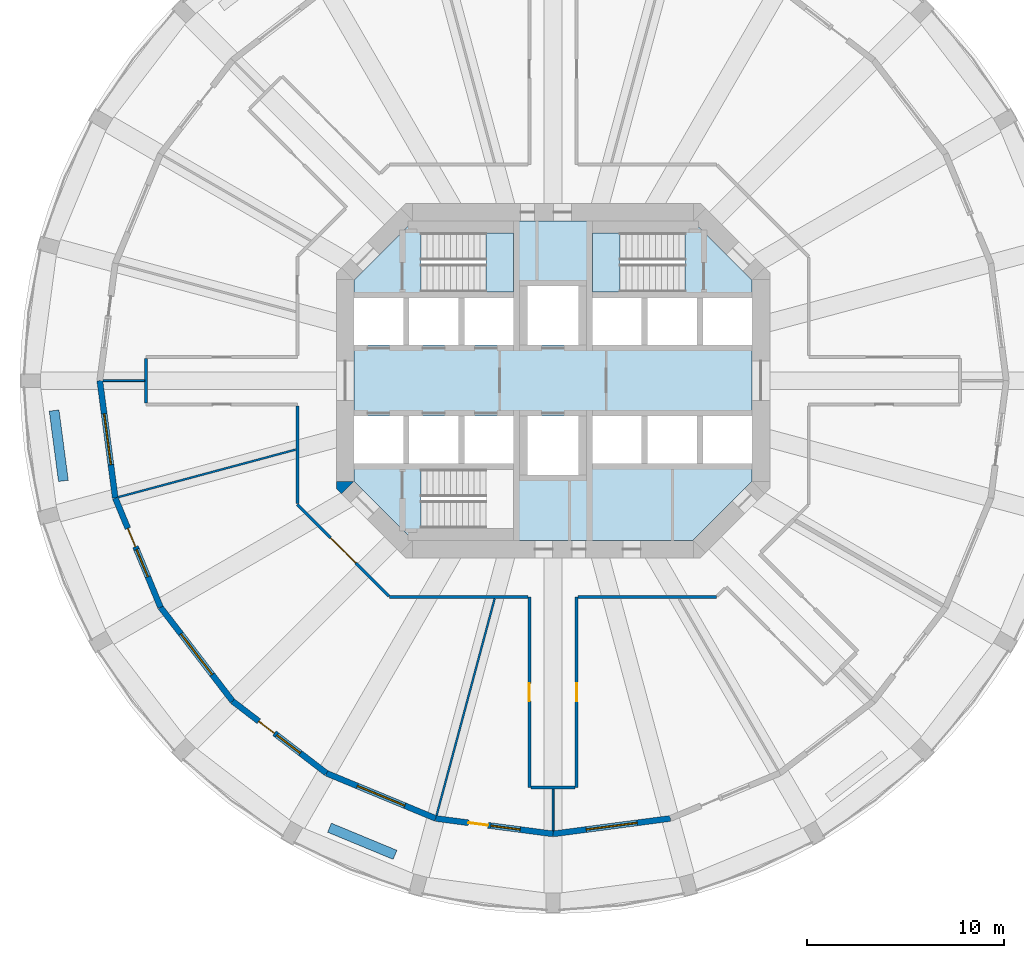
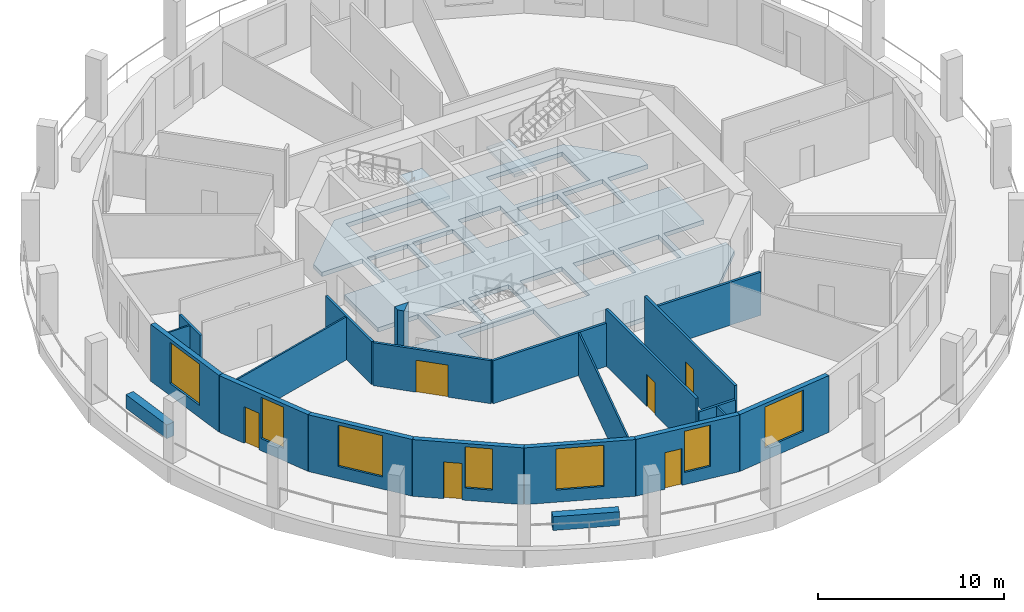
# One storey, part 2 of 9: 22 walls, 7 windows, 6 doors, 3 slabs, 13 openings, 2 elements without a shape of their own.
"""IFC4 building model written with IfcOpenShell, lengths in metres."""

from ifc_helpers import new_model, si_unit, direction, frame, frame_2d, origin, place, context, subcontext, project, spatial, polyline, rectangle, outline, extrude, material, layer, layer_set, type_object, element, fill, aggregate, save


model = new_model("IFC4")

# Units and contexts
model_context = context("Model", 3, precision=1e-05, world=origin(), true_north=direction((0.0, 1.0)))
body_context = subcontext(model_context, "Body", "Model", "MODEL_VIEW")
ifc_project = project(units=[si_unit("LENGTHUNIT", "METRE"), si_unit("AREAUNIT", "SQUARE_METRE"), si_unit("VOLUMEUNIT", "CUBIC_METRE"), si_unit("PLANEANGLEUNIT", "RADIAN"), si_unit("MASSUNIT", "GRAM", prefix="KILO")], contexts=[model_context])

# Site, building, storey
site_placement = place(None, origin())
site = spatial("IfcSite", under=ifc_project, at=site_placement, CompositionType="ELEMENT")
building_placement = place(site_placement, origin())
building = spatial("IfcBuilding", under=site, at=building_placement, Name="Torre Triforio", CompositionType="ELEMENT")
storey_placement = place(building_placement, frame((0.0, 0.0, 27.0)))
storey = spatial("IfcBuildingStorey", under=building, at=storey_placement, Name="L04", CompositionType="ELEMENT", Elevation=27.0)

# Slab
ifc_material_1 = material(Name="Concrete C60", Category="concrete")
ifc_layer_1 = layer(ifc_material_1, 0.280029296875)
ifc_layer_set_1 = layer_set([ifc_layer_1], Name="Concrete C60")
slab_type_1 = type_object("IfcSlabType", Name="Core floor slab 280 mm C60 REI 120", PredefinedType="FLOOR", material=ifc_layer_set_1)
slab_1_placement = place(storey_placement, frame((0.0, 0.0, -0.280029296875)))
element("IfcSlab", 1, at=slab_1_placement, inside=storey, type_object=slab_type_1, Name="Core floor slab", PredefinedType="FLOOR", context=body_context, shape_type="SweptSolid", body=[
    extrude(outline(polyline([(10.10009765625, -5.10009765625), (7.10009765625, -8.10009765625), (-7.10009765625, -8.10009765625), (-10.10009765625, -5.10009765625), (-10.10009765625, -4.199951171875), (-7.60009765625, -4.199951171875), (-7.60009765625, -1.800048828125), (-10.10009765625, -1.800048828125), (-10.10009765625, 1.800048828125), (-7.60009765625, 1.800048828125), (-7.60009765625, 4.199951171875), (-10.10009765625, 4.199951171875), (-10.10009765625, 5.10009765625), (-7.10009765625, 8.10009765625), (7.10009765625, 8.10009765625), (10.10009765625, 5.10009765625), (10.10009765625, 4.199951171875), (7.60009765625, 4.199951171875), (7.60009765625, 1.800048828125), (10.10009765625, 1.800048828125), (10.10009765625, -1.800048828125), (7.60009765625, -1.800048828125), (7.60009765625, -4.199951171875), (10.10009765625, -4.199951171875), (10.10009765625, -5.10009765625)]), holes=[polyline([(-2.0, -4.5), (-6.696044921875, -4.5), (-6.696044921875, -7.5), (-2.0, -7.5), (-2.0, -4.5)]), polyline([(-4.800048828125, -1.800048828125), (-7.300048828125, -1.800048828125), (-7.300048828125, -4.199951171875), (-4.800048828125, -4.199951171875), (-4.800048828125, -1.800048828125)]), polyline([(-2.0, -1.800048828125), (-4.5, -1.800048828125), (-4.5, -4.199951171875), (-2.0, -4.199951171875), (-2.0, -1.800048828125)]), polyline([(-4.800048828125, 4.199951171875), (-7.300048828125, 4.199951171875), (-7.300048828125, 1.800048828125), (-4.800048828125, 1.800048828125), (-4.800048828125, 4.199951171875)]), polyline([(-2.0, 4.199951171875), (-4.5, 4.199951171875), (-4.5, 1.800048828125), (-2.0, 1.800048828125), (-2.0, 4.199951171875)]), polyline([(1.300048828125, 4.800048828125), (-1.300048828125, 4.800048828125), (-1.300048828125, 1.800048828125), (1.300048828125, 1.800048828125), (1.300048828125, 4.800048828125)]), polyline([(-2.0, 7.5), (-6.696044921875, 7.5), (-6.696044921875, 4.5), (-2.0, 4.5), (-2.0, 7.5)]), polyline([(1.300048828125, -1.800048828125), (-1.300048828125, -1.800048828125), (-1.300048828125, -4.800048828125), (1.300048828125, -4.800048828125), (1.300048828125, -1.800048828125)]), polyline([(4.5, -1.800048828125), (2.0, -1.800048828125), (2.0, -4.199951171875), (4.5, -4.199951171875), (4.5, -1.800048828125)]), polyline([(7.300048828125, -1.800048828125), (4.800048828125, -1.800048828125), (4.800048828125, -4.199951171875), (7.300048828125, -4.199951171875), (7.300048828125, -1.800048828125)]), polyline([(4.5, 4.199951171875), (2.0, 4.199951171875), (2.0, 1.800048828125), (4.5, 1.800048828125), (4.5, 4.199951171875)]), polyline([(7.300048828125, 4.199951171875), (4.800048828125, 4.199951171875), (4.800048828125, 1.800048828125), (7.300048828125, 1.800048828125), (7.300048828125, 4.199951171875)]), polyline([(6.696044921875, 4.5), (6.696044921875, 7.5), (2.0, 7.5), (2.0, 4.5), (6.696044921875, 4.5)])]), origin(), (0.0, 0.0, 1.0), 0.280029296875),
])

# Stair, slab
ifc_material_2 = material(Name="Concrete C40", Category="concrete")
stair_type = type_object("IfcStairType", Name="STAIR HALF-TURN", PredefinedType="HALF_TURN_STAIR", material=ifc_material_2)
stair_1_placement = place(storey_placement, origin())
stair_1 = element("IfcStair", 2, at=stair_1_placement, inside=storey, type_object=stair_type, Name="Exit stair 1", PredefinedType="HALF_TURN_STAIR")
ifc_layer_2 = layer(ifc_material_2, 0.199951171875)
ifc_layer_set_2 = layer_set([ifc_layer_2], Name="Concrete C40")
slab_type_2 = type_object("IfcSlabType", Name="STAIR LANDING 200", PredefinedType="LANDING", material=ifc_layer_set_2)
slab_2_placement = place(storey_placement, frame((0.0, 0.0, 1.800048828125)))
slab_2 = element("IfcSlab", 3, at=slab_2_placement, type_object=slab_type_2, Name="ST1 landing 1", PredefinedType="LANDING", context=body_context, shape_type="SweptSolid", body=[
    extrude(outline(polyline([(-2.0, 4.5), (-2.0, 7.5), (-3.39990234375, 7.5), (-3.39990234375, 4.5), (-2.0, 4.5)])), origin(), (0.0, 0.0, 1.0), 0.199951171875),
])
aggregate(stair_1, [slab_2])

stair_2_placement = place(storey_placement, origin())
stair_2 = element("IfcStair", 4, at=stair_2_placement, inside=storey, type_object=stair_type, Name="Exit stair 2", PredefinedType="HALF_TURN_STAIR")
slab_3_placement = place(storey_placement, frame((0.0, 0.0, 1.800048828125)))
slab_3 = element("IfcSlab", 5, at=slab_3_placement, type_object=slab_type_2, Name="ST2 landing 1", PredefinedType="LANDING", context=body_context, shape_type="SweptSolid", body=[
    extrude(outline(polyline([(3.39990234375, 4.5), (3.39990234375, 7.5), (2.0, 7.5), (2.0, 4.5), (3.39990234375, 4.5)])), origin(), (0.0, 0.0, 1.0), 0.199951171875),
])
aggregate(stair_2, [slab_3])

# Walls
ifc_layer_3 = layer(ifc_material_1, 0.89990234375)
ifc_layer_set_3 = layer_set([ifc_layer_3], Name="Concrete C60")
wall_type_1 = type_object("IfcWallType", Name="Core wall 900 mm C60 EI 120", PredefinedType="SHEAR", material=ifc_layer_set_3)
wall_1_placement = place(storey_placement, frame((0.0, 0.0, -0.280029296875)))
element("IfcWall", 6, at=wall_1_placement, inside=storey, type_object=wall_type_1, Name="Core wall", PredefinedType="SHEAR", context=body_context, shape_type="SweptSolid", body=[
    extrude(outline(polyline([(-11.0, -5.472900390625), (-11.0, -5.1298828125), (-10.1298828125, -5.1298828125), (-10.736328125, -5.736328125), (-11.0, -5.472900390625)])), origin(), (0.0, 0.0, 1.0), 4.0),
])
ifc_material_3 = material(Name="Plasterboard on metal studs")
ifc_layer_4 = layer(ifc_material_3, 0.14990234375)
ifc_layer_set_4 = layer_set([ifc_layer_4], Name="Plasterboard on metal studs")
wall_type_2 = type_object("IfcWallType", Name="Corridor and tenancy wall 150 mm EI 60", PredefinedType="PARTITIONING", material=ifc_layer_set_4)
wall_2_placement = place(storey_placement, frame((8.291015625, -10.97509765625, 0.0), z_axis=(0.0, 0.0, 1.0), x_axis=(-1.0, 0.0, 0.0)))
element("IfcWall", 7, at=wall_2_placement, inside=storey, type_object=wall_type_2, Name="Partition 5", PredefinedType="PARTITIONING", context=body_context, shape_type="SweptSolid", body=[
    extrude(rectangle(XDim=7.01611328125, YDim=0.14990234375, at=frame_2d((3.508056640625, 0.0))), origin(), (0.0, 0.0, 1.0), 2.820068359375),
])

# Wall, opening, door
wall_3_placement = place(storey_placement, frame((1.199951171875, -10.97509765625, 0.0), z_axis=(0.0, 0.0, 1.0), x_axis=(0.0, -1.0, 0.0)))
wall_3 = element("IfcWall", 8, at=wall_3_placement, inside=storey, type_object=wall_type_2, Name="Partition 6", PredefinedType="PARTITIONING", context=body_context, shape_type="SweptSolid", body=[
    extrude(rectangle(XDim=9.673583984375, YDim=0.14990234375, at=frame_2d((4.8369140625, 0.0))), origin(), (0.0, 0.0, 1.0), 3.719970703125),
])
opening_1_placement = place(wall_3_placement, frame((4.386962890625, 0.0, 0.0)))
opening_1 = element("IfcOpeningElement", 9, at=opening_1_placement, cuts=wall_3, Name="Opening N1-11", PredefinedType="OPENING", context=body_context, shape_type="SweptSolid", body=[
    extrude(rectangle(XDim=0.89990234375, YDim=2.10009765625, at=frame_2d((0.449951171875, 1.050048828125))), frame((0.0, 0.0849609375, 0.0), z_axis=(0.0, -1.0, 0.0), x_axis=(1.0, 0.0, 0.0)), (0.0, 0.0, 1.0), 0.169921875),
])
ifc_material_4 = material(Name="Timber", Category="wood")
door_type_1 = type_object("IfcDoorType", Name="Door 900 x 2100 single leaf EI 30", OperationType="NOTDEFINED", PredefinedType="DOOR", material=ifc_material_4)
door_1_placement = place(opening_1_placement, origin())
door_1 = element("IfcDoor", 10, at=door_1_placement, inside=storey, type_object=door_type_1, Name="Door N1-11", OperationType="SINGLE_SWING_RIGHT", OverallHeight=2.10009765625, OverallWidth=0.89990234375, PredefinedType="DOOR", context=body_context, shape_type="SweptSolid", body=[
    extrude(rectangle(XDim=0.89990234375, YDim=2.10009765625, at=frame_2d((0.449951171875, 1.050048828125))), frame((0.0, 0.02490234375, 0.0), z_axis=(0.0, -1.0, 0.0), x_axis=(1.0, 0.0, 0.0)), (0.0, 0.0, 1.0), 0.050048828125),
])
fill(opening_1, door_1)

# Wall
wall_4_placement = place(storey_placement, frame((1.125, -20.648681640625, 0.0), z_axis=(0.0, 0.0, 1.0), x_axis=(-1.0, 0.0, 0.0)))
element("IfcWall", 11, at=wall_4_placement, inside=storey, type_object=wall_type_2, Name="Partition 7", PredefinedType="PARTITIONING", context=body_context, shape_type="SweptSolid", body=[
    extrude(rectangle(XDim=2.25, YDim=0.14990234375, at=frame_2d((1.125, 0.0))), origin(), (0.0, 0.0, 1.0), 2.820068359375),
])

# Wall, opening, door
wall_5_placement = place(storey_placement, frame((-1.199951171875, -20.648681640625, 0.0), z_axis=(0.0, 0.0, 1.0), x_axis=(0.0, 1.0, 0.0)))
wall_5 = element("IfcWall", 12, at=wall_5_placement, inside=storey, type_object=wall_type_2, Name="Partition 8", PredefinedType="PARTITIONING", context=body_context, shape_type="SweptSolid", body=[
    extrude(rectangle(XDim=9.673583984375, YDim=0.14990234375, at=frame_2d((4.8369140625, 0.0))), origin(), (0.0, 0.0, 1.0), 3.719970703125),
])
opening_2_placement = place(wall_5_placement, frame((4.386962890625, 0.0, 0.0)))
opening_2 = element("IfcOpeningElement", 13, at=opening_2_placement, cuts=wall_5, Name="Opening N1-10", PredefinedType="OPENING", context=body_context, shape_type="SweptSolid", body=[
    extrude(rectangle(XDim=0.89990234375, YDim=2.10009765625, at=frame_2d((0.449951171875, 1.050048828125))), frame((0.0, 0.0849609375, 0.0), z_axis=(0.0, -1.0, 0.0), x_axis=(1.0, 0.0, 0.0)), (0.0, 0.0, 1.0), 0.169921875),
])
door_2_placement = place(opening_2_placement, origin())
door_2 = element("IfcDoor", 14, at=door_2_placement, inside=storey, type_object=door_type_1, Name="Door N1-10", OperationType="SINGLE_SWING_RIGHT", OverallHeight=2.10009765625, OverallWidth=0.89990234375, PredefinedType="DOOR", context=body_context, shape_type="SweptSolid", body=[
    extrude(rectangle(XDim=0.89990234375, YDim=2.10009765625, at=frame_2d((0.449951171875, 1.050048828125))), frame((0.0, 0.02490234375, 0.0), z_axis=(0.0, -1.0, 0.0), x_axis=(1.0, 0.0, 0.0)), (0.0, 0.0, 1.0), 0.050048828125),
])
fill(opening_2, door_2)

# Wall
wall_6_placement = place(storey_placement, frame((-1.27490234375, -10.97509765625, 0.0), z_axis=(0.0, 0.0, 1.0), x_axis=(-1.0, 0.0, 0.0)))
element("IfcWall", 15, at=wall_6_placement, inside=storey, type_object=wall_type_2, Name="Partition 9", PredefinedType="PARTITIONING", context=body_context, shape_type="SweptSolid", body=[
    extrude(rectangle(XDim=7.01611328125, YDim=0.14990234375, at=frame_2d((3.508056640625, 0.0))), origin(), (0.0, 0.0, 1.0), 2.820068359375),
])

# Wall, opening, door
wall_7_placement = place(storey_placement, frame((-8.327880859375, -10.93798828125, 0.0), z_axis=(0.0, 0.0, 1.0), x_axis=(-0.707125355289, 0.707088206597, 0.0)))
wall_7 = element("IfcWall", 16, at=wall_7_placement, inside=storey, type_object=wall_type_2, Name="Partition 10", PredefinedType="PARTITIONING", context=body_context, shape_type="SweptSolid", body=[
    extrude(rectangle(XDim=6.572021484375, YDim=0.14990234375, at=frame_2d((3.2861328125, 0.0))), origin(), (0.0, 0.0, 1.0), 2.820068359375),
])
opening_3_placement = place(wall_7_placement, frame((2.385986328125, 0.0, 0.0)))
opening_3 = element("IfcOpeningElement", 17, at=opening_3_placement, cuts=wall_7, Name="Opening N1-09", PredefinedType="OPENING", context=body_context, shape_type="SweptSolid", body=[
    extrude(rectangle(XDim=1.800048828125, YDim=2.10009765625, at=frame_2d((0.89990234375, 1.050048828125))), frame((0.0, 0.0849609375, 0.0), z_axis=(0.0, -1.0, 0.0), x_axis=(1.0, 0.0, 0.0)), (0.0, 0.0, 1.0), 0.169921875),
])
door_type_2 = type_object("IfcDoorType", Name="Door 1800 x 2100 double leaf EI 30", OperationType="DOUBLE_DOOR_SINGLE_SWING", PredefinedType="DOOR", material=ifc_material_4)
door_3_placement = place(opening_3_placement, origin())
door_3 = element("IfcDoor", 18, at=door_3_placement, inside=storey, type_object=door_type_2, Name="Door N1-09", OperationType="DOUBLE_DOOR_SINGLE_SWING", OverallHeight=2.10009765625, OverallWidth=1.800048828125, PredefinedType="DOOR", context=body_context, shape_type="SweptSolid", body=[
    extrude(rectangle(XDim=1.800048828125, YDim=2.10009765625, at=frame_2d((0.89990234375, 1.050048828125))), frame((0.0, 0.02490234375, 0.0), z_axis=(0.0, -1.0, 0.0), x_axis=(1.0, 0.0, 0.0)), (0.0, 0.0, 1.0), 0.050048828125),
])
fill(opening_3, door_3)

# Walls
wall_8_placement = place(storey_placement, frame((-12.97509765625, -6.23828125, 0.0), z_axis=(0.0, 0.0, 1.0), x_axis=(0.0, 1.0, 0.0)))
element("IfcWall", 19, at=wall_8_placement, inside=storey, type_object=wall_type_2, Name="Partition 11", PredefinedType="PARTITIONING", context=body_context, shape_type="SweptSolid", body=[
    extrude(rectangle(XDim=4.96337890625, YDim=0.14990234375, at=frame_2d((2.481689453125, 0.0))), origin(), (0.0, 0.0, 1.0), 2.820068359375),
])
wall_9_placement = place(storey_placement, frame((-20.648681640625, -1.125, 0.0), z_axis=(0.0, 0.0, 1.0), x_axis=(0.0, 1.0, 0.0)))
element("IfcWall", 20, at=wall_9_placement, inside=storey, type_object=wall_type_2, Name="Partition 13", PredefinedType="PARTITIONING", context=body_context, shape_type="SweptSolid", body=[
    extrude(rectangle(XDim=2.25, YDim=0.14990234375, at=frame_2d((1.125, 0.0))), origin(), (0.0, 0.0, 1.0), 2.820068359375),
])
ifc_layer_5 = layer(ifc_material_3, 0.10009765625)
ifc_layer_set_5 = layer_set([ifc_layer_5], Name="Plasterboard on metal studs")
wall_type_3 = type_object("IfcWallType", Name="Partition 100 mm board on metal studs", PredefinedType="PARTITIONING", material=ifc_layer_set_5)
wall_10_placement = place(storey_placement, frame((-20.7236328125, 0.0, 0.0), z_axis=(0.0, 0.0, 1.0), x_axis=(-1.0, 0.0, 0.0)))
element("IfcWall", 21, at=wall_10_placement, inside=storey, type_object=wall_type_3, Name="Partition 42", PredefinedType="PARTITIONING", context=body_context, shape_type="SweptSolid", body=[
    extrude(rectangle(XDim=2.113037109375, YDim=0.10009765625, at=frame_2d((1.056640625, 0.0))), origin(), (0.0, 0.0, 1.0), 2.820068359375),
])
wall_11_placement = place(storey_placement, frame((-13.064208984375, -3.50048828125, 0.0), z_axis=(0.0, 0.0, 1.0), x_axis=(-0.965922655056, -0.258830880017, 0.0)))
element("IfcWall", 22, at=wall_11_placement, inside=storey, type_object=wall_type_3, Name="Partition 43", PredefinedType="PARTITIONING", context=body_context, shape_type="SweptSolid", body=[
    extrude(rectangle(XDim=9.311767578125, YDim=0.10009765625, at=frame_2d((4.65576171875, 0.0))), origin(), (0.0, 0.0, 1.0), 2.820068359375),
])
wall_12_placement = place(storey_placement, frame((-2.964599609375, -11.064208984375, 0.0), z_axis=(0.0, 0.0, 1.0), x_axis=(-0.258827930947, -0.965923445291, 0.0)))
element("IfcWall", 23, at=wall_12_placement, inside=storey, type_object=wall_type_3, Name="Partition 44", PredefinedType="PARTITIONING", context=body_context, shape_type="SweptSolid", body=[
    extrude(rectangle(XDim=11.38232421875, YDim=0.10009765625, at=frame_2d((5.691162109375, 0.0))), origin(), (0.0, 0.0, 1.0), 2.820068359375),
])
wall_13_placement = place(storey_placement, frame((0.0, -20.7236328125, 0.0), z_axis=(0.0, 0.0, 1.0), x_axis=(0.0, -1.0, 0.0)))
element("IfcWall", 24, at=wall_13_placement, inside=storey, type_object=wall_type_3, Name="Partition 45", PredefinedType="PARTITIONING", context=body_context, shape_type="SweptSolid", body=[
    extrude(rectangle(XDim=2.113037109375, YDim=0.10009765625, at=frame_2d((1.056640625, 0.0))), origin(), (0.0, 0.0, 1.0), 2.820068359375),
])
ifc_material_5 = material(Name="Limestone cladding", Category="masonry")
ifc_layer_6 = layer(ifc_material_5, 0.10009765625)
ifc_layer_7 = layer(ifc_material_2, 0.39990234375)
ifc_layer_set_6 = layer_set([ifc_layer_6, ifc_layer_7], Name="Limestone cladding / Concrete C40")
wall_type_4 = type_object("IfcWallType", Name="Planter wall 500", PredefinedType="PARAPET", material=ifc_layer_set_6)
for number, where, z_axis, x_axis, name in (
    (25, (-25.318603515625, -1.517578125, 0.0), (0.0, 0.0, 1.0), (0.130542222659, -0.991442750795, 0.0), "Planter L04 bay 13"),
    (26, (-11.344970703125, -22.685302734375, 0.0), (0.0, 0.0, 1.0), (0.923885420167, -0.382669217998, 0.0), "Planter L04 bay 17"),
):
    element("IfcWall", number, at=place(storey_placement, frame(where, z_axis=z_axis, x_axis=x_axis)), inside=storey, type_object=wall_type_4, Name=name, PredefinedType="PARAPET", context=body_context, shape_type="SweptSolid", body=[
        extrude(rectangle(XDim=3.60009765625, YDim=0.5, at=frame_2d((1.800048828125, 0.0))), origin(), (0.0, 0.0, 1.0), 0.89990234375),
    ])

# Wall, opening, window
ifc_layer_8 = layer(ifc_material_5, 0.10009765625)
ifc_layer_9 = layer(ifc_material_2, 0.199951171875)
ifc_layer_set_7 = layer_set([ifc_layer_8, ifc_layer_9], Name="Limestone cladding / Concrete C40")
wall_type_5 = type_object("IfcWallType", Name="Stone-faced composite wall 300", PredefinedType="STANDARD", material=ifc_layer_set_7)
wall_14_placement = place(storey_placement, frame((-23.0, 0.0, 0.0), z_axis=(0.0, 0.0, 1.0), x_axis=(0.130522880875, -0.991445297315, 0.0)))
wall_14 = element("IfcWall", 27, at=wall_14_placement, inside=storey, type_object=wall_type_5, Name="External wall L04 bay 13", PredefinedType="STANDARD", context=body_context, shape_type="SweptSolid", body=[
    extrude(rectangle(XDim=6.004150390625, YDim=0.300048828125, at=frame_2d((3.001953125, 0.0))), origin(), (0.0, 0.0, 1.0), 3.719970703125),
])
opening_4_placement = place(wall_14_placement, frame((1.7021484375, 0.0, 0.800048828125)))
opening_4 = element("IfcOpeningElement", 28, at=opening_4_placement, cuts=wall_14, Name="Opening N1-W13", PredefinedType="OPENING", context=body_context, shape_type="SweptSolid", body=[
    extrude(rectangle(XDim=2.60009765625, YDim=2.699951171875, at=frame_2d((1.300048828125, 1.35009765625))), frame((0.0, 0.159912109375, 0.0), z_axis=(0.0, -1.0, 0.0), x_axis=(1.0, 0.0, 0.0)), (0.0, 0.0, 1.0), 0.320068359375),
])
ifc_material_6 = material(Name="Aluminium frame with clear double glazing", Category="aluminium")
window_type_1 = type_object("IfcWindowType", Name="Punched window 2600 x 2700", PartitioningType="DOUBLE_PANEL_VERTICAL", PredefinedType="WINDOW", material=ifc_material_6)
window_1_placement = place(opening_4_placement, origin())
window_1 = element("IfcWindow", 29, at=window_1_placement, inside=storey, type_object=window_type_1, Name="Window EWN2 L04 bay 13", OverallHeight=2.699951171875, OverallWidth=2.60009765625, PartitioningType="SINGLE_PANEL", PredefinedType="WINDOW", context=body_context, shape_type="SweptSolid", body=[
    extrude(rectangle(XDim=2.60009765625, YDim=2.699951171875, at=frame_2d((1.300048828125, 1.35009765625))), frame((0.0, 0.030029296875, 0.0), z_axis=(0.0, -1.0, 0.0), x_axis=(1.0, 0.0, 0.0)), (0.0, 0.0, 1.0), 0.06005859375),
])
fill(opening_4, window_1)

# Wall, openings, door, window
wall_15_placement = place(storey_placement, frame((-22.21630859375, -5.952880859375, 0.0), z_axis=(0.0, 0.0, 1.0), x_axis=(0.382671411433, -0.923884511653, 0.0)))
wall_15 = element("IfcWall", 30, at=wall_15_placement, inside=storey, type_object=wall_type_5, Name="External wall L04 bay 14", PredefinedType="STANDARD", context=body_context, shape_type="SweptSolid", body=[
    extrude(rectangle(XDim=6.004150390625, YDim=0.300048828125, at=frame_2d((3.001953125, 0.0))), origin(), (0.0, 0.0, 1.0), 3.719970703125),
])
opening_5_placement = place(wall_15_placement, frame((1.677001953125, 0.0, 0.0)))
opening_5 = element("IfcOpeningElement", 31, at=opening_5_placement, cuts=wall_15, Name="Opening N1-D14", PredefinedType="OPENING", context=body_context, shape_type="SweptSolid", body=[
    extrude(rectangle(XDim=1.0, YDim=2.39990234375, at=frame_2d((0.5, 1.199951171875))), frame((0.0, 0.159912109375, 0.0), z_axis=(0.0, -1.0, 0.0), x_axis=(1.0, 0.0, 0.0)), (0.0, 0.0, 1.0), 0.320068359375),
])
opening_6_placement = place(wall_15_placement, frame((2.8271484375, 0.0, 0.800048828125)))
opening_6 = element("IfcOpeningElement", 32, at=opening_6_placement, cuts=wall_15, Name="Opening N1-W14A", PredefinedType="OPENING", context=body_context, shape_type="SweptSolid", body=[
    extrude(rectangle(XDim=1.5, YDim=2.699951171875, at=frame_2d((0.75, 1.35009765625))), frame((0.0, 0.159912109375, 0.0), z_axis=(0.0, -1.0, 0.0), x_axis=(1.0, 0.0, 0.0)), (0.0, 0.0, 1.0), 0.320068359375),
])
door_type_3 = type_object("IfcDoorType", Name="Loggia door 1000 x 2400", OperationType="NOTDEFINED", PredefinedType="DOOR", material=ifc_material_6)
door_4_placement = place(opening_5_placement, origin())
door_4 = element("IfcDoor", 33, at=door_4_placement, inside=storey, type_object=door_type_3, Name="Loggia door L04 bay 14", OperationType="SINGLE_SWING_LEFT", OverallHeight=2.39990234375, OverallWidth=1.0, PredefinedType="DOOR", context=body_context, shape_type="SweptSolid", body=[
    extrude(rectangle(XDim=1.0, YDim=2.39990234375, at=frame_2d((0.5, 1.199951171875))), frame((0.0, 0.02490234375, 0.0), z_axis=(0.0, -1.0, 0.0), x_axis=(1.0, 0.0, 0.0)), (0.0, 0.0, 1.0), 0.050048828125),
])
fill(opening_5, door_4)
window_type_2 = type_object("IfcWindowType", Name="Side window 1500 x 2700", PartitioningType="SINGLE_PANEL", PredefinedType="WINDOW", material=ifc_material_6)
window_2_placement = place(opening_6_placement, origin())
window_2 = element("IfcWindow", 34, at=window_2_placement, inside=storey, type_object=window_type_2, Name="Side window EWN12 L04 bay 14", OverallHeight=2.699951171875, OverallWidth=1.5, PartitioningType="SINGLE_PANEL", PredefinedType="WINDOW", context=body_context, shape_type="SweptSolid", body=[
    extrude(rectangle(XDim=1.5, YDim=2.699951171875, at=frame_2d((0.75, 1.35009765625))), frame((0.0, 0.030029296875, 0.0), z_axis=(0.0, -1.0, 0.0), x_axis=(1.0, 0.0, 0.0)), (0.0, 0.0, 1.0), 0.06005859375),
])
fill(opening_6, window_2)

# Wall, opening, window
wall_16_placement = place(storey_placement, frame((-19.918701171875, -11.5, 0.0), z_axis=(0.0, 0.0, 1.0), x_axis=(0.608778912074, -0.793339924758, 0.0)))
wall_16 = element("IfcWall", 35, at=wall_16_placement, inside=storey, type_object=wall_type_5, Name="External wall L04 bay 15", PredefinedType="STANDARD", context=body_context, shape_type="SweptSolid", body=[
    extrude(rectangle(XDim=6.004150390625, YDim=0.300048828125, at=frame_2d((3.001953125, 0.0))), origin(), (0.0, 0.0, 1.0), 3.719970703125),
])
opening_7_placement = place(wall_16_placement, frame((1.7021484375, 0.0, 0.800048828125)))
opening_7 = element("IfcOpeningElement", 36, at=opening_7_placement, cuts=wall_16, Name="Opening N1-W15", PredefinedType="OPENING", context=body_context, shape_type="SweptSolid", body=[
    extrude(rectangle(XDim=2.60009765625, YDim=2.699951171875, at=frame_2d((1.300048828125, 1.35009765625))), frame((0.0, 0.159912109375, 0.0), z_axis=(0.0, -1.0, 0.0), x_axis=(1.0, 0.0, 0.0)), (0.0, 0.0, 1.0), 0.320068359375),
])
window_3_placement = place(opening_7_placement, origin())
window_3 = element("IfcWindow", 37, at=window_3_placement, inside=storey, type_object=window_type_1, Name="Window EWN2 L04 bay 15", OverallHeight=2.699951171875, OverallWidth=2.60009765625, PartitioningType="SINGLE_PANEL", PredefinedType="WINDOW", context=body_context, shape_type="SweptSolid", body=[
    extrude(rectangle(XDim=2.60009765625, YDim=2.699951171875, at=frame_2d((1.300048828125, 1.35009765625))), frame((0.0, 0.030029296875, 0.0), z_axis=(0.0, -1.0, 0.0), x_axis=(1.0, 0.0, 0.0)), (0.0, 0.0, 1.0), 0.06005859375),
])
fill(opening_7, window_3)

# Wall, openings, door, window
wall_17_placement = place(storey_placement, frame((-16.263427734375, -16.263427734375, 0.0), z_axis=(0.0, 0.0, 1.0), x_axis=(0.793339924758, -0.608778912074, 0.0)))
wall_17 = element("IfcWall", 38, at=wall_17_placement, inside=storey, type_object=wall_type_5, Name="External wall L04 bay 16", PredefinedType="STANDARD", context=body_context, shape_type="SweptSolid", body=[
    extrude(rectangle(XDim=6.004150390625, YDim=0.300048828125, at=frame_2d((3.001953125, 0.0))), origin(), (0.0, 0.0, 1.0), 3.719970703125),
])
opening_8_placement = place(wall_17_placement, frame((1.677001953125, 0.0, 0.0)))
opening_8 = element("IfcOpeningElement", 39, at=opening_8_placement, cuts=wall_17, Name="Opening N1-D16", PredefinedType="OPENING", context=body_context, shape_type="SweptSolid", body=[
    extrude(rectangle(XDim=1.0, YDim=2.39990234375, at=frame_2d((0.5, 1.199951171875))), frame((0.0, 0.159912109375, 0.0), z_axis=(0.0, -1.0, 0.0), x_axis=(1.0, 0.0, 0.0)), (0.0, 0.0, 1.0), 0.320068359375),
])
opening_9_placement = place(wall_17_placement, frame((2.8271484375, 0.0, 0.800048828125)))
opening_9 = element("IfcOpeningElement", 40, at=opening_9_placement, cuts=wall_17, Name="Opening N1-W16A", PredefinedType="OPENING", context=body_context, shape_type="SweptSolid", body=[
    extrude(rectangle(XDim=1.5, YDim=2.699951171875, at=frame_2d((0.75, 1.35009765625))), frame((0.0, 0.159912109375, 0.0), z_axis=(0.0, -1.0, 0.0), x_axis=(1.0, 0.0, 0.0)), (0.0, 0.0, 1.0), 0.320068359375),
])
door_5_placement = place(opening_8_placement, origin())
door_5 = element("IfcDoor", 41, at=door_5_placement, inside=storey, type_object=door_type_3, Name="Loggia door L04 bay 16", OperationType="SINGLE_SWING_LEFT", OverallHeight=2.39990234375, OverallWidth=1.0, PredefinedType="DOOR", context=body_context, shape_type="SweptSolid", body=[
    extrude(rectangle(XDim=1.0, YDim=2.39990234375, at=frame_2d((0.5, 1.199951171875))), frame((0.0, 0.02490234375, 0.0), z_axis=(0.0, -1.0, 0.0), x_axis=(1.0, 0.0, 0.0)), (0.0, 0.0, 1.0), 0.050048828125),
])
fill(opening_8, door_5)
window_4_placement = place(opening_9_placement, origin())
window_4 = element("IfcWindow", 42, at=window_4_placement, inside=storey, type_object=window_type_2, Name="Side window EWN12 L04 bay 16", OverallHeight=2.699951171875, OverallWidth=1.5, PartitioningType="SINGLE_PANEL", PredefinedType="WINDOW", context=body_context, shape_type="SweptSolid", body=[
    extrude(rectangle(XDim=1.5, YDim=2.699951171875, at=frame_2d((0.75, 1.35009765625))), frame((0.0, 0.030029296875, 0.0), z_axis=(0.0, -1.0, 0.0), x_axis=(1.0, 0.0, 0.0)), (0.0, 0.0, 1.0), 0.06005859375),
])
fill(opening_9, window_4)

# Wall, opening, window
wall_18_placement = place(storey_placement, frame((-11.5, -19.918701171875, 0.0), z_axis=(0.0, 0.0, 1.0), x_axis=(0.923884511653, -0.382671411433, 0.0)))
wall_18 = element("IfcWall", 43, at=wall_18_placement, inside=storey, type_object=wall_type_5, Name="External wall L04 bay 17", PredefinedType="STANDARD", context=body_context, shape_type="SweptSolid", body=[
    extrude(rectangle(XDim=6.004150390625, YDim=0.300048828125, at=frame_2d((3.001953125, 0.0))), origin(), (0.0, 0.0, 1.0), 3.719970703125),
])
opening_10_placement = place(wall_18_placement, frame((1.7021484375, 0.0, 0.800048828125)))
opening_10 = element("IfcOpeningElement", 44, at=opening_10_placement, cuts=wall_18, Name="Opening N1-W17", PredefinedType="OPENING", context=body_context, shape_type="SweptSolid", body=[
    extrude(rectangle(XDim=2.60009765625, YDim=2.699951171875, at=frame_2d((1.300048828125, 1.35009765625))), frame((0.0, 0.159912109375, 0.0), z_axis=(0.0, -1.0, 0.0), x_axis=(1.0, 0.0, 0.0)), (0.0, 0.0, 1.0), 0.320068359375),
])
window_5_placement = place(opening_10_placement, origin())
window_5 = element("IfcWindow", 45, at=window_5_placement, inside=storey, type_object=window_type_1, Name="Window EWN2 L04 bay 17", OverallHeight=2.699951171875, OverallWidth=2.60009765625, PartitioningType="SINGLE_PANEL", PredefinedType="WINDOW", context=body_context, shape_type="SweptSolid", body=[
    extrude(rectangle(XDim=2.60009765625, YDim=2.699951171875, at=frame_2d((1.300048828125, 1.35009765625))), frame((0.0, 0.030029296875, 0.0), z_axis=(0.0, -1.0, 0.0), x_axis=(1.0, 0.0, 0.0)), (0.0, 0.0, 1.0), 0.06005859375),
])
fill(opening_10, window_5)

# Wall, openings, door, window
wall_19_placement = place(storey_placement, frame((-5.952880859375, -22.21630859375, 0.0), z_axis=(0.0, 0.0, 1.0), x_axis=(0.991445297315, -0.130522880875, 0.0)))
wall_19 = element("IfcWall", 46, at=wall_19_placement, inside=storey, type_object=wall_type_5, Name="External wall L04 bay 18", PredefinedType="STANDARD", context=body_context, shape_type="SweptSolid", body=[
    extrude(rectangle(XDim=6.004150390625, YDim=0.300048828125, at=frame_2d((3.001953125, 0.0))), origin(), (0.0, 0.0, 1.0), 3.719970703125),
])
opening_11_placement = place(wall_19_placement, frame((1.677001953125, 0.0, 0.0)))
opening_11 = element("IfcOpeningElement", 47, at=opening_11_placement, cuts=wall_19, Name="Opening N1-D18", PredefinedType="OPENING", context=body_context, shape_type="SweptSolid", body=[
    extrude(rectangle(XDim=1.0, YDim=2.39990234375, at=frame_2d((0.5, 1.199951171875))), frame((0.0, 0.159912109375, 0.0), z_axis=(0.0, -1.0, 0.0), x_axis=(1.0, 0.0, 0.0)), (0.0, 0.0, 1.0), 0.320068359375),
])
opening_12_placement = place(wall_19_placement, frame((2.8271484375, 0.0, 0.800048828125)))
opening_12 = element("IfcOpeningElement", 48, at=opening_12_placement, cuts=wall_19, Name="Opening N1-W18A", PredefinedType="OPENING", context=body_context, shape_type="SweptSolid", body=[
    extrude(rectangle(XDim=1.5, YDim=2.699951171875, at=frame_2d((0.75, 1.35009765625))), frame((0.0, 0.159912109375, 0.0), z_axis=(0.0, -1.0, 0.0), x_axis=(1.0, 0.0, 0.0)), (0.0, 0.0, 1.0), 0.320068359375),
])
door_6_placement = place(opening_11_placement, origin())
door_6 = element("IfcDoor", 49, at=door_6_placement, inside=storey, type_object=door_type_3, Name="Loggia door L04 bay 18", OperationType="SINGLE_SWING_LEFT", OverallHeight=2.39990234375, OverallWidth=1.0, PredefinedType="DOOR", context=body_context, shape_type="SweptSolid", body=[
    extrude(rectangle(XDim=1.0, YDim=2.39990234375, at=frame_2d((0.5, 1.199951171875))), frame((0.0, 0.02490234375, 0.0), z_axis=(0.0, -1.0, 0.0), x_axis=(1.0, 0.0, 0.0)), (0.0, 0.0, 1.0), 0.050048828125),
])
fill(opening_11, door_6)
window_6_placement = place(opening_12_placement, origin())
window_6 = element("IfcWindow", 50, at=window_6_placement, inside=storey, type_object=window_type_2, Name="Side window EWN12 L04 bay 18", OverallHeight=2.699951171875, OverallWidth=1.5, PartitioningType="SINGLE_PANEL", PredefinedType="WINDOW", context=body_context, shape_type="SweptSolid", body=[
    extrude(rectangle(XDim=1.5, YDim=2.699951171875, at=frame_2d((0.75, 1.35009765625))), frame((0.0, 0.030029296875, 0.0), z_axis=(0.0, -1.0, 0.0), x_axis=(1.0, 0.0, 0.0)), (0.0, 0.0, 1.0), 0.06005859375),
])
fill(opening_12, window_6)

# Wall, opening, window
wall_20_placement = place(storey_placement, frame((0.0, -23.0, 0.0), z_axis=(0.0, 0.0, 1.0), x_axis=(0.991445297315, 0.130522880875, 0.0)))
wall_20 = element("IfcWall", 51, at=wall_20_placement, inside=storey, type_object=wall_type_5, Name="External wall L04 bay 19", PredefinedType="STANDARD", context=body_context, shape_type="SweptSolid", body=[
    extrude(rectangle(XDim=6.004150390625, YDim=0.300048828125, at=frame_2d((3.001953125, 0.0))), origin(), (0.0, 0.0, 1.0), 3.719970703125),
])
opening_13_placement = place(wall_20_placement, frame((1.7021484375, 0.0, 0.800048828125)))
opening_13 = element("IfcOpeningElement", 52, at=opening_13_placement, cuts=wall_20, Name="Opening N1-W19", PredefinedType="OPENING", context=body_context, shape_type="SweptSolid", body=[
    extrude(rectangle(XDim=2.60009765625, YDim=2.699951171875, at=frame_2d((1.300048828125, 1.35009765625))), frame((0.0, 0.159912109375, 0.0), z_axis=(0.0, -1.0, 0.0), x_axis=(1.0, 0.0, 0.0)), (0.0, 0.0, 1.0), 0.320068359375),
])
window_7_placement = place(opening_13_placement, origin())
window_7 = element("IfcWindow", 53, at=window_7_placement, inside=storey, type_object=window_type_1, Name="Window EWN2 L04 bay 19", OverallHeight=2.699951171875, OverallWidth=2.60009765625, PartitioningType="SINGLE_PANEL", PredefinedType="WINDOW", context=body_context, shape_type="SweptSolid", body=[
    extrude(rectangle(XDim=2.60009765625, YDim=2.699951171875, at=frame_2d((1.300048828125, 1.35009765625))), frame((0.0, 0.030029296875, 0.0), z_axis=(0.0, -1.0, 0.0), x_axis=(1.0, 0.0, 0.0)), (0.0, 0.0, 1.0), 0.06005859375),
])
fill(opening_13, window_7)

save(model, "model.ifc")
